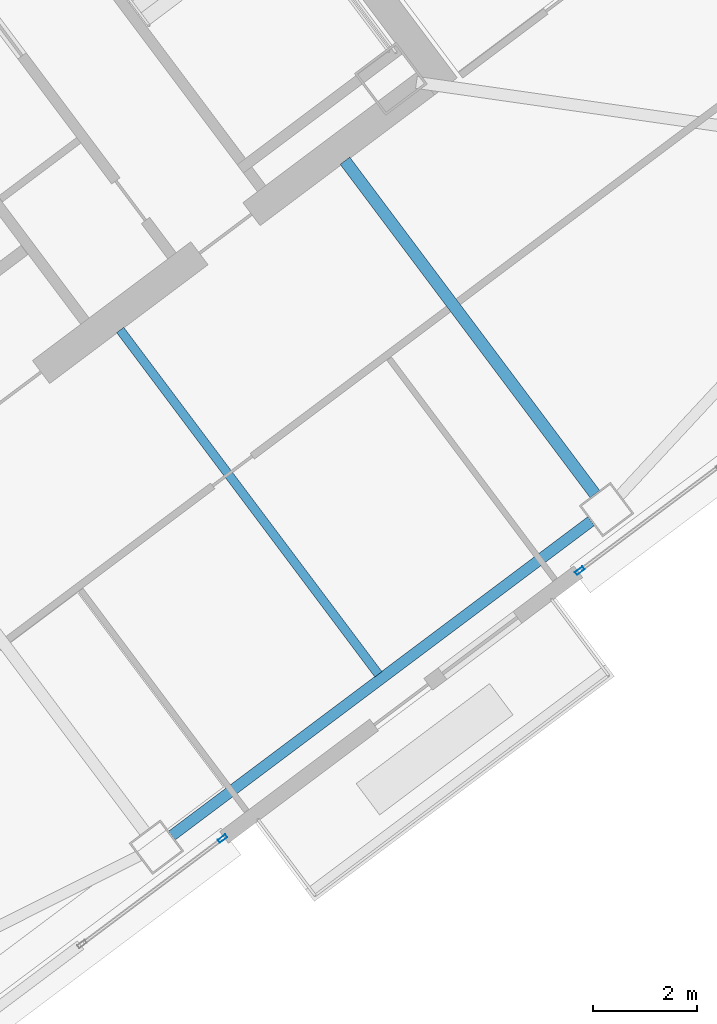
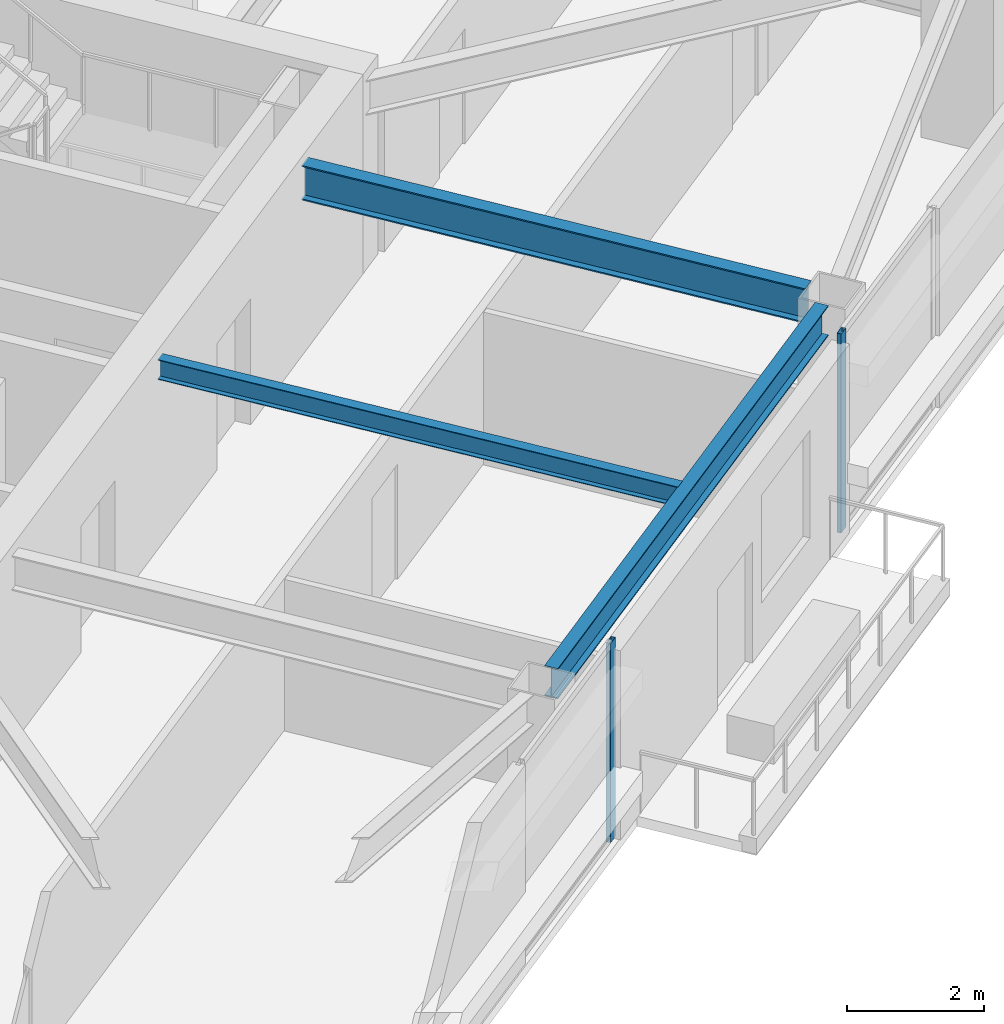
# One storey, part 25 of 46: 3 beams, 2 members, 2 elements without a shape of their own.
"""IFC4 building model written with IfcOpenShell, lengths in metres."""

from ifc_helpers import new_model, si_unit, direction, frame, origin, origin_2d, place, context, subcontext, project, spatial, hollow_rectangle, i_section, extrude, material, material_profile, profile_set, type_object, element, aggregate, save


model = new_model("IFC4")

# Units and contexts
model_context = context("Model", 3, precision=1e-05, world=origin(), true_north=direction((0.0, 1.0)))
body_context = subcontext(model_context, "Body", "Model", "MODEL_VIEW")
ifc_project = project(units=[si_unit("LENGTHUNIT", "METRE"), si_unit("AREAUNIT", "SQUARE_METRE"), si_unit("VOLUMEUNIT", "CUBIC_METRE"), si_unit("PLANEANGLEUNIT", "RADIAN"), si_unit("MASSUNIT", "GRAM", prefix="KILO")], contexts=[model_context])

# Site, building, storey
site_placement = place(None, origin())
site = spatial("IfcSite", under=ifc_project, at=site_placement, CompositionType="ELEMENT")
building_placement = place(site_placement, origin())
building = spatial("IfcBuilding", under=site, at=building_placement, Name="Tashvorn Skyway Center", CompositionType="ELEMENT")
storey_placement = place(building_placement, frame((0.0, 0.0, 167.64990234375)))
storey = spatial("IfcBuildingStorey", under=building, at=storey_placement, Name="L45", CompositionType="ELEMENT", Elevation=167.64990234375)

# Beams
ifc_material_1 = material(Name="Steel ASTM A992 Grade 50", Category="steel")
ifc_material_profile_1 = material_profile(ifc_material_1, i_section(OverallWidth=0.22998046875, OverallDepth=0.616943359375, WebThickness=0.01318359375, FlangeThickness=0.022216796875, at=origin_2d()), Name="W24X94")
ifc_profile_set_1 = profile_set([ifc_material_profile_1], Name="Steel ASTM A992 Grade 50")
beam_type_1 = type_object("IfcBeamType", Name="BM-BEAM-W24X94", PredefinedType="BEAM", material=ifc_profile_set_1)
beam_1_placement = place(storey_placement, frame((127.7880859375, 22.615966796875, 3.0615234375), z_axis=(-0.599995117266, 0.800003662027, 0.0), x_axis=(-0.800003662027, -0.599995117266, 0.0)))
element("IfcBeam", 1, at=beam_1_placement, inside=storey, type_object=beam_type_1, Name="Tower 2 L45 Primary Floor Girder FC-S2", PredefinedType="BEAM", context=body_context, shape_type="SweptSolid", body=[
    extrude(i_section(OverallWidth=0.22998046875, OverallDepth=0.616943359375, WebThickness=0.01318359375, FlangeThickness=0.022216796875, at=origin_2d()), origin(), (0.0, 0.0, 1.0), 8.000244140625),
])
ifc_material_profile_2 = material_profile(ifc_material_1, i_section(OverallWidth=0.1708984375, OverallDepth=0.35498046875, WebThickness=0.007080078125, FlangeThickness=0.01171875, at=origin_2d()), Name="W14X34")
ifc_profile_set_2 = profile_set([ifc_material_profile_2], Name="Steel ASTM A992 Grade 50")
beam_type_2 = type_object("IfcBeamType", Name="BM-JOIST-W14X34", PredefinedType="JOIST", material=ifc_profile_set_2)
beam_2_placement = place(storey_placement, frame((118.674072265625, 25.76806640625, 3.192626953125), z_axis=(0.59999527236, -0.800003545708, 0.0), x_axis=(0.800003545708, 0.59999527236, 0.0)))
element("IfcBeam", 2, at=beam_2_placement, inside=storey, type_object=beam_type_2, Name="Tower 2 L45 Secondary Composite Joist JS", PredefinedType="JOIST", context=body_context, shape_type="SweptSolid", body=[
    extrude(i_section(OverallWidth=0.1708984375, OverallDepth=0.35498046875, WebThickness=0.007080078125, FlangeThickness=0.01171875, at=origin_2d()), origin(), (0.0, 0.0, 1.0), 8.2626953125),
])
ifc_material_profile_3 = material_profile(ifc_material_1, i_section(OverallWidth=0.2109375, OverallDepth=0.5390625, WebThickness=0.01171875, FlangeThickness=0.018798828125, at=origin_2d()), Name="W21X73")
ifc_profile_set_3 = profile_set([ifc_material_profile_3], Name="Steel ASTM A992 Grade 50")
beam_type_3 = type_object("IfcBeamType", Name="BM-SPANDREL-W21X73", PredefinedType="SPANDREL", material=ifc_profile_set_3)
beam_3_placement = place(storey_placement, frame((119.666015625, 16.06201171875, 3.1005859375), z_axis=(0.800008736549, 0.599988351091, 0.0), x_axis=(-0.599988351091, 0.800008736549, 0.0)))
element("IfcBeam", 3, at=beam_3_placement, inside=storey, type_object=beam_type_3, Name="Tower 2 L45 Spandrel Beam 02", PredefinedType="SPANDREL", context=body_context, shape_type="SweptSolid", body=[
    extrude(i_section(OverallWidth=0.2109375, OverallDepth=0.5390625, WebThickness=0.01171875, FlangeThickness=0.018798828125, at=origin_2d()), origin(), (0.0, 0.0, 1.0), 10.06005859375),
])

# Curtain wall, member
ifc_material_2 = material(Name="Thermally broken bronze-anodized aluminium 6063-T6", Category="aluminium")
curtain_wall_type = type_object("IfcCurtainWallType", Name="CW-CW-Z4", PredefinedType="NOTDEFINED", material=ifc_material_2)
curtain_wall_1_placement = place(storey_placement, origin())
curtain_wall_1 = element("IfcCurtainWall", 4, at=curtain_wall_1_placement, inside=storey, type_object=curtain_wall_type, Name="Tower 2 L45 South Curtain Wall L Glazing Group 1", PredefinedType="NOTDEFINED")
ifc_material_profile_4 = material_profile(ifc_material_2, hollow_rectangle(XDim=0.070068359375, YDim=0.179931640625, WallThickness=0.00390625, at=origin_2d()), Name="ALU-MULL-70x180")
ifc_profile_set_4 = profile_set([ifc_material_profile_4], Name="Thermally broken bronze-anodized aluminium 6063-T6")
member_type = type_object("IfcMemberType", Name="CWM-CW-Z4", PredefinedType="MULLION", material=ifc_profile_set_4)
member_1_placement = place(storey_placement, frame((127.49609375, 21.14697265625, 0.0), z_axis=(0.0, 0.0, 1.0), x_axis=(0.599995353367, -0.800003484954, 0.0)))
member_1 = element("IfcMember", 5, at=member_1_placement, type_object=member_type, Name="CW-Z4 mullion 2", PredefinedType="MULLION", context=body_context, shape_type="SweptSolid", body=[
    extrude(hollow_rectangle(XDim=0.070068359375, YDim=0.179931640625, WallThickness=0.00390625, at=origin_2d()), origin(), (0.0, 0.0, 1.0), 3.550048828125),
])
aggregate(curtain_wall_1, [member_1])

curtain_wall_2_placement = place(storey_placement, origin())
curtain_wall_2 = element("IfcCurtainWall", 6, at=curtain_wall_2_placement, inside=storey, type_object=curtain_wall_type, Name="Tower 2 L45 South Curtain Wall R Glazing Group 1", PredefinedType="NOTDEFINED")
member_2_placement = place(storey_placement, frame((120.639892578125, 16.0048828125, 0.0), z_axis=(0.0, 0.0, 1.0), x_axis=(0.599995353367, -0.800003484954, 0.0)))
member_2 = element("IfcMember", 7, at=member_2_placement, type_object=member_type, Name="CW-Z4 mullion 1", PredefinedType="MULLION", context=body_context, shape_type="SweptSolid", body=[
    extrude(hollow_rectangle(XDim=0.070068359375, YDim=0.179931640625, WallThickness=0.00390625, at=origin_2d()), origin(), (0.0, 0.0, 1.0), 3.550048828125),
])
aggregate(curtain_wall_2, [member_2])

save(model, "model.ifc")
